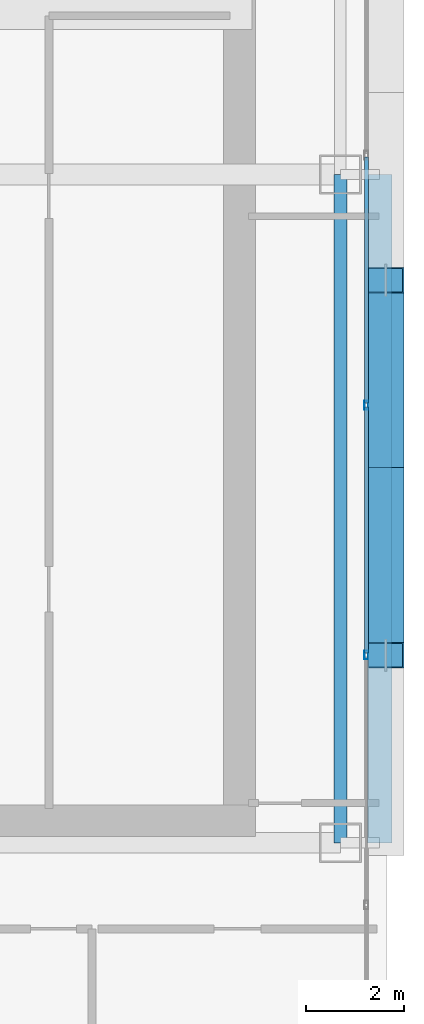
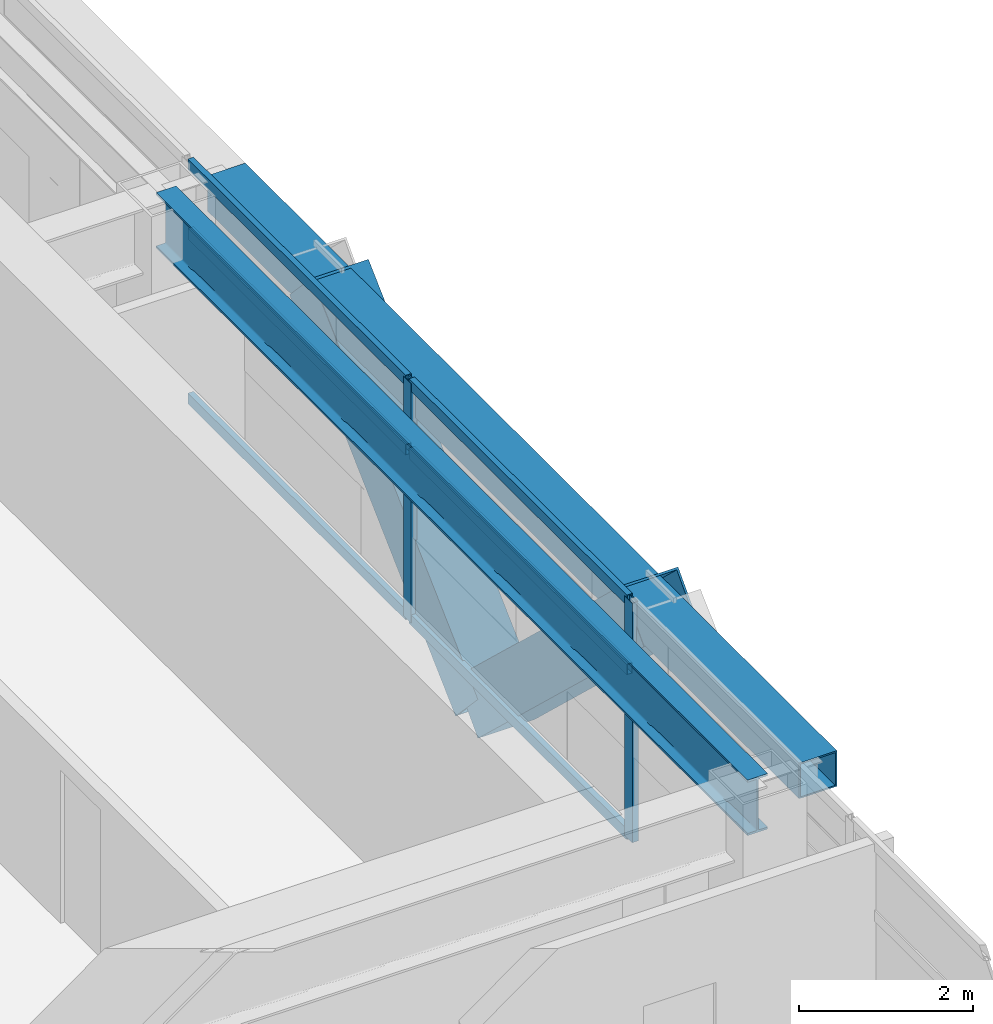
# One storey, part 13 of 36: 10 members, 2 beams, 1 element without a shape of its own.
"""IFC4 building model written with IfcOpenShell, lengths in metres."""

from ifc_helpers import new_model, si_unit, direction, frame, origin, origin_2d, place, context, subcontext, project, spatial, hollow_rectangle, i_section, extrude, source, transform, mapped, material, layer, layer_set, material_profile, profile_set, type_object, element, aggregate, save


model = new_model("IFC4")

# Units and contexts
model_context = context("Model", 3, precision=1e-05, world=origin(), true_north=direction((0.0, 1.0)))
body_context = subcontext(model_context, "Body", "Model", "MODEL_VIEW")
ifc_project = project(units=[si_unit("LENGTHUNIT", "METRE"), si_unit("AREAUNIT", "SQUARE_METRE"), si_unit("VOLUMEUNIT", "CUBIC_METRE"), si_unit("PLANEANGLEUNIT", "RADIAN"), si_unit("MASSUNIT", "GRAM", prefix="KILO")], contexts=[model_context])

# Site, building, storey
site_placement = place(None, origin())
site = spatial("IfcSite", under=ifc_project, at=site_placement, CompositionType="ELEMENT")
building_placement = place(site_placement, origin())
building = spatial("IfcBuilding", under=site, at=building_placement, Name="Ocotamira Hotel", CompositionType="ELEMENT")
storey_placement = place(building_placement, frame((0.0, 0.0, 133.199951171875)))
storey = spatial("IfcBuildingStorey", under=building, at=storey_placement, Name="L33", CompositionType="ELEMENT", Elevation=133.199951171875)

# Beams
ifc_material_1 = material(Name="Steel ASTM A992 Grade 50", Category="steel")
ifc_material_profile_1 = material_profile(ifc_material_1, i_section(OverallWidth=0.26611328125, OverallDepth=0.779052734375, WebThickness=0.0166015625, FlangeThickness=0.030029296875, FilletRadius=0.01806640625, at=origin_2d()), Name="W30X148")
ifc_profile_set_1 = profile_set([ifc_material_profile_1], Name="Steel ASTM A992 Grade 50")
beam_type_1 = type_object("IfcBeamType", Name="BM-GIRD-W30X148", PredefinedType="BEAM", material=ifc_profile_set_1)
shared_shape_1 = source(origin(), body_context, "Body", "SweptSolid", [
    extrude(i_section(OverallWidth=0.26611328125, OverallDepth=0.779052734375, WebThickness=0.0166015625, FlangeThickness=0.030029296875, FilletRadius=0.01806640625, at=origin_2d()), origin(), (0.0, 0.0, 1.0), 13.599853515625),
])
beam_1_placement = place(storey_placement, frame((55.050048828125, 14.550048828125, 2.970458984375), z_axis=(0.0, 1.0, 0.0), x_axis=(-1.0, 0.0, 0.0)))
element("IfcBeam", 1, at=beam_1_placement, inside=storey, type_object=beam_type_1, Name="L33 Beam X55.05 Y14.55-28.15", PredefinedType="BEAM", context=body_context, shape_type="MappedRepresentation", body=[
    mapped(shared_shape_1, transform((0.0, 0.0, 0.0), scale=1.0)),
])
ifc_material_2 = material(Name="Steel ASTM A500 Grade C", Category="steel")
ifc_material_profile_2 = material_profile(ifc_material_2, hollow_rectangle(XDim=0.5, YDim=0.5, WallThickness=0.02001953125, at=origin_2d()), Name="HSS500X500X20")
ifc_profile_set_2 = profile_set([ifc_material_profile_2], Name="Steel ASTM A500 Grade C")
beam_type_2 = type_object("IfcBeamType", Name="BM-SPAN-HSS500", PredefinedType="USERDEFINED", material=ifc_profile_set_2)
shared_shape_2 = source(origin(), body_context, "Body", "SweptSolid", [
    extrude(hollow_rectangle(XDim=0.5, YDim=0.5, WallThickness=0.02001953125, at=origin_2d()), origin(), (0.0, 0.0, 1.0), 13.599853515625),
])
beam_2_placement = place(storey_placement, frame((55.85009765625, 14.550048828125, 3.110107421875), z_axis=(0.0, 1.0, 0.0), x_axis=(-1.0, 0.0, 0.0)))
element("IfcBeam", 2, at=beam_2_placement, inside=storey, type_object=beam_type_2, Name="L33 Edge Spandrel E Y14.55-28.15", ObjectType="SPANDREL", PredefinedType="USERDEFINED", context=body_context, shape_type="MappedRepresentation", body=[
    mapped(shared_shape_2, transform((0.0, 0.0, 0.0), scale=1.0)),
])

# Members
ifc_material_3 = material(Name="Pale-metal coated steel ASTM A913 Grade 65", Category="steel")
ifc_material_profile_3 = material_profile(ifc_material_3, hollow_rectangle(XDim=0.75, YDim=0.75, WallThickness=0.028076171875, at=origin_2d()), Name="BOX750X750X28")
ifc_profile_set_3 = profile_set([ifc_material_profile_3], Name="Pale-metal coated steel ASTM A913 Grade 65")
member_type_1 = type_object("IfcMemberType", Name="MEM-EXO-BOX750", PredefinedType="BRACE", material=ifc_profile_set_3)
shared_shape_3 = source(origin(), body_context, "Body", "SweptSolid", [
    extrude(hollow_rectangle(XDim=0.75, YDim=0.75, WallThickness=0.028076171875, at=origin_2d()), origin(), (0.0, 0.0, 1.0), 5.24658203125),
])
for number, where, z_axis, x_axis, name in (
    (3, (55.969970703125, 22.183349609375, -0.489990234375), (0.0, -0.727442733726, 0.686168397078), (1.0, 0.0, 0.0), "L33 Exoskeleton Diagrid E0.2"),
    (4, (55.969970703125, 22.183349609375, -0.489990234375), (0.0, 0.727442733726, 0.686168397078), (-1.0, 0.0, 0.0), "L33 Exoskeleton Diagrid E1.1"),
):
    element("IfcMember", number, at=place(storey_placement, frame(where, z_axis=z_axis, x_axis=x_axis)), inside=storey, type_object=member_type_1, Name=name, PredefinedType="BRACE", context=body_context, shape_type="MappedRepresentation", body=[
        mapped(shared_shape_3, transform((0.0, 0.0, 0.0), scale=1.0)),
    ])

# Curtain wall, members
ifc_material_4 = material(Name="Anodised pale-metal aluminium and solar glass", Category="aluminium")
ifc_layer = layer(ifc_material_4, 0.179931640625)
ifc_layer_set = layer_set([ifc_layer], Name="Anodised pale-metal aluminium and solar glass")
curtain_wall_type = type_object("IfcCurtainWallType", Name="CW-SYS3-Z2", PredefinedType="NOTDEFINED", material=ifc_layer_set)
curtain_wall_placement = place(storey_placement, origin())
curtain_wall = element("IfcCurtainWall", 5, at=curtain_wall_placement, inside=storey, type_object=curtain_wall_type, Name="L33 Curtain Wall CW-3 CW-L33-E", PredefinedType="NOTDEFINED")
ifc_material_5 = material(Name="Anodised pale-metal aluminium 6063-T6", Category="aluminium")
ifc_material_profile_4 = material_profile(ifc_material_5, hollow_rectangle(XDim=0.074951171875, YDim=0.14990234375, WallThickness=0.006103515625, at=origin_2d()), Name="HSS150X75X6")
ifc_profile_set_4 = profile_set([ifc_material_profile_4], Name="Anodised pale-metal aluminium 6063-T6")
member_type_2 = type_object("IfcMemberType", Name="CWT-150X75", PredefinedType="USERDEFINED", material=ifc_profile_set_4)
shared_shape_4 = source(origin(), body_context, "Body", "SweptSolid", [
    extrude(hollow_rectangle(XDim=0.074951171875, YDim=0.14990234375, WallThickness=0.006103515625, at=origin_2d()), origin(), (0.0, 0.0, 1.0), 5.005859375),
])
member_1_placement = place(storey_placement, frame((55.580078125, 18.411376953125, 0.03759765625), z_axis=(0.0, 1.0, 0.0), x_axis=(-1.0, 0.0, 0.0)))
member_1 = element("IfcMember", 6, at=member_1_placement, type_object=member_type_2, Name="CW-3 transom 3.1", ObjectType="TRANSOM", PredefinedType="USERDEFINED", context=body_context, shape_type="MappedRepresentation", body=[
    mapped(shared_shape_4, transform((0.0, 0.0, 0.0), scale=1.0)),
])
member_2_placement = place(storey_placement, frame((55.580078125, 18.411376953125, 2.35009765625), z_axis=(0.0, 1.0, 0.0), x_axis=(-1.0, 0.0, 0.0)))
member_2 = element("IfcMember", 7, at=member_2_placement, type_object=member_type_2, Name="CW-3 transom 3.2", ObjectType="TRANSOM", PredefinedType="USERDEFINED", context=body_context, shape_type="MappedRepresentation", body=[
    mapped(shared_shape_4, transform((0.0, 0.0, 0.0), scale=1.0)),
])
member_3_placement = place(storey_placement, frame((55.580078125, 18.411376953125, 3.322509765625), z_axis=(0.0, 1.0, 0.0), x_axis=(-1.0, 0.0, 0.0)))
member_3 = element("IfcMember", 8, at=member_3_placement, type_object=member_type_2, Name="CW-3 transom 3.3", ObjectType="TRANSOM", PredefinedType="USERDEFINED", context=body_context, shape_type="MappedRepresentation", body=[
    mapped(shared_shape_4, transform((0.0, 0.0, 0.0), scale=1.0)),
])
member_4_placement = place(storey_placement, frame((55.580078125, 23.4970703125, 0.03759765625), z_axis=(0.0, 1.0, 0.0), x_axis=(-1.0, 0.0, 0.0)))
member_4 = element("IfcMember", 9, at=member_4_placement, type_object=member_type_2, Name="CW-3 transom 4.1", ObjectType="TRANSOM", PredefinedType="USERDEFINED", context=body_context, shape_type="MappedRepresentation", body=[
    mapped(shared_shape_4, transform((0.0, 0.0, 0.0), scale=1.0)),
])
member_5_placement = place(storey_placement, frame((55.580078125, 23.4970703125, 2.35009765625), z_axis=(0.0, 1.0, 0.0), x_axis=(-1.0, 0.0, 0.0)))
member_5 = element("IfcMember", 10, at=member_5_placement, type_object=member_type_2, Name="CW-3 transom 4.2", ObjectType="TRANSOM", PredefinedType="USERDEFINED", context=body_context, shape_type="MappedRepresentation", body=[
    mapped(shared_shape_4, transform((0.0, 0.0, 0.0), scale=1.0)),
])
member_6_placement = place(storey_placement, frame((55.580078125, 23.4970703125, 3.322509765625), z_axis=(0.0, 1.0, 0.0), x_axis=(-1.0, 0.0, 0.0)))
member_6 = element("IfcMember", 11, at=member_6_placement, type_object=member_type_2, Name="CW-3 transom 4.3", ObjectType="TRANSOM", PredefinedType="USERDEFINED", context=body_context, shape_type="MappedRepresentation", body=[
    mapped(shared_shape_4, transform((0.0, 0.0, 0.0), scale=1.0)),
])
ifc_material_profile_5 = material_profile(ifc_material_5, hollow_rectangle(XDim=0.080078125, YDim=0.179931640625, WallThickness=0.006103515625, at=origin_2d()), Name="HSS180X80X6")
ifc_profile_set_5 = profile_set([ifc_material_profile_5], Name="Anodised pale-metal aluminium 6063-T6")
member_type_3 = type_object("IfcMemberType", Name="CWM-180X75", PredefinedType="MULLION", material=ifc_profile_set_5)
shared_shape_5 = source(origin(), body_context, "Body", "SweptSolid", [
    extrude(hollow_rectangle(XDim=0.080078125, YDim=0.179931640625, WallThickness=0.006103515625, at=origin_2d()), origin(), (0.0, 0.0, 1.0), 3.360107421875),
])
member_7_placement = place(storey_placement, frame((55.580078125, 18.371337890625, 0.0), z_axis=(0.0, 0.0, 1.0), x_axis=(-1.0, 0.0, 0.0)))
member_7 = element("IfcMember", 12, at=member_7_placement, type_object=member_type_3, Name="CW-3 mullion 3", PredefinedType="MULLION", context=body_context, shape_type="MappedRepresentation", body=[
    mapped(shared_shape_5, transform((0.0, 0.0, 0.0), scale=1.0)),
])
member_8_placement = place(storey_placement, frame((55.580078125, 23.45703125, 0.0), z_axis=(0.0, 0.0, 1.0), x_axis=(-1.0, 0.0, 0.0)))
member_8 = element("IfcMember", 13, at=member_8_placement, type_object=member_type_3, Name="CW-3 mullion 4", PredefinedType="MULLION", context=body_context, shape_type="MappedRepresentation", body=[
    mapped(shared_shape_5, transform((0.0, 0.0, 0.0), scale=1.0)),
])
aggregate(curtain_wall, [member_7, member_8, member_1, member_2, member_3, member_4, member_5, member_6])

save(model, "model.ifc")
